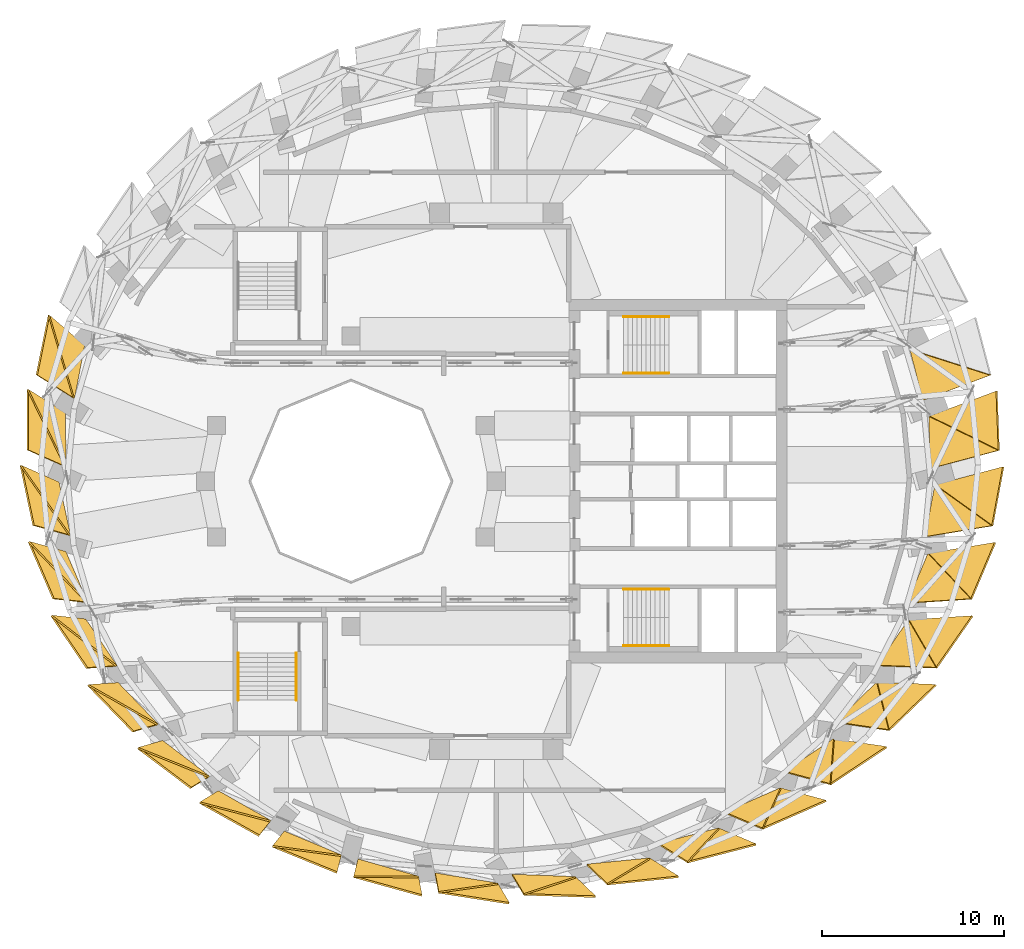
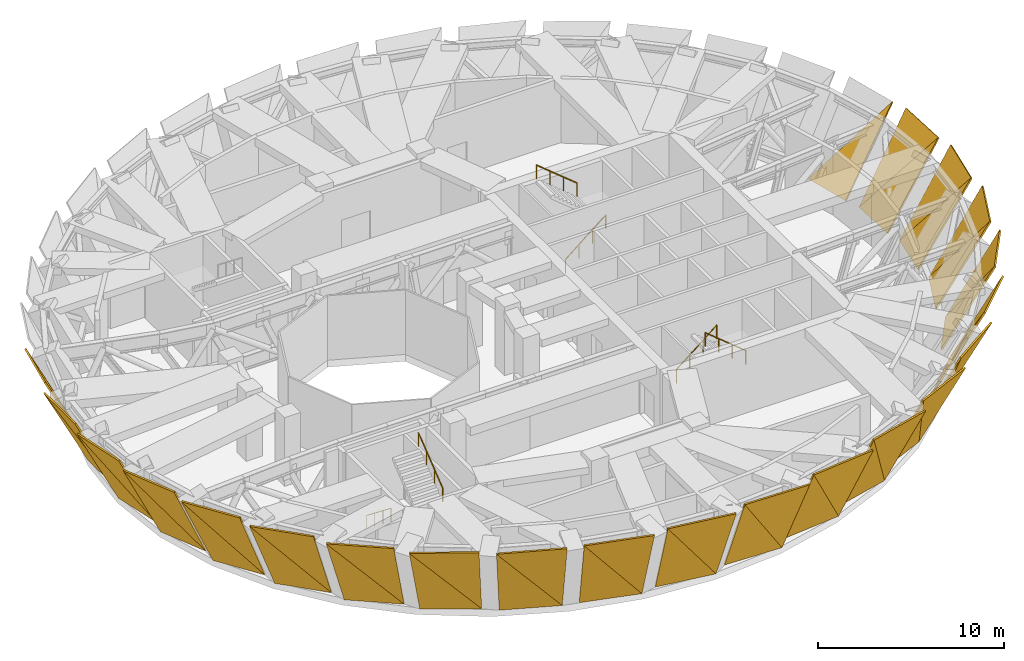
# One storey, part 15 of 16: 43 shading devices, 6 railings.
"""IFC4 building model written with IfcOpenShell, lengths in metres."""

from ifc_helpers import new_model, si_unit, direction, frame, origin, origin_2d, place, context, subcontext, project, spatial, polyline, circle, outline, extrude, material, layer, layer_set, type_object, element, save


model = new_model("IFC4")

# Units and contexts
model_context = context("Model", 3, precision=1e-05, world=origin(), true_north=direction((0.0, 1.0)))
body_context = subcontext(model_context, "Body", "Model", "MODEL_VIEW")
ifc_project = project(units=[si_unit("LENGTHUNIT", "METRE"), si_unit("AREAUNIT", "SQUARE_METRE"), si_unit("VOLUMEUNIT", "CUBIC_METRE"), si_unit("PLANEANGLEUNIT", "RADIAN"), si_unit("MASSUNIT", "GRAM", prefix="KILO")], contexts=[model_context])

# Site, building, storey
site_placement = place(None, origin())
site = spatial("IfcSite", under=ifc_project, at=site_placement, CompositionType="ELEMENT")
building_placement = place(site_placement, origin())
building = spatial("IfcBuilding", under=site, at=building_placement, Name="Taillehof Tower", CompositionType="ELEMENT")
storey_placement = place(building_placement, frame((0.0, 0.0, 184.699951171875)))
storey = spatial("IfcBuildingStorey", under=building, at=storey_placement, Name="L52", CompositionType="ELEMENT", Elevation=184.699951171875)

# Shading devices
ifc_material_1 = material(Name="Aluminium louvre blades", Category="aluminium")
ifc_layer = layer(ifc_material_1, 0.10009765625)
ifc_layer_set = layer_set([ifc_layer], Name="Louvre panel 100")
shading_device_type = type_object("IfcShadingDeviceType", Name="Louvre panel 100", PredefinedType="USERDEFINED", material=ifc_layer_set)
shading_device_1_placement = place(storey_placement, frame((23.894287109375, 0.701171875, 0.0654296875), z_axis=(-0.756872959381, -0.023485388946, 0.653139923649), x_axis=(-0.031014571992, 0.999518932449, 0.0)))
element("IfcShadingDevice", 1, at=shading_device_1_placement, inside=storey, type_object=shading_device_type, Name="Louvre panel L52 bay 1a", ObjectType="LOUVER", PredefinedType="USERDEFINED", context=body_context, shape_type="SweptSolid", body=[
    extrude(outline(polyline([(0.0, 0.0), (2.8732083791932705, 0.0), (0.8789092896323458, -5.757592259688604), (0.0, 0.0)])), origin(), (0.0, 0.0, -1.0), 0.10009765625),
])
shading_device_2_placement = place(storey_placement, frame((23.80517578125, 3.572509765625, 0.065185546875), z_axis=(-0.757776396775, -0.028099363995, 0.651909010701), x_axis=(0.628694566801, 0.236035332313, 0.740965899063)))
element("IfcShadingDevice", 2, at=shading_device_2_placement, inside=storey, type_object=shading_device_type, Name="Louvre panel L52 bay 1b", ObjectType="LOUVER", PredefinedType="USERDEFINED", context=body_context, shape_type="SweptSolid", body=[
    extrude(outline(polyline([(0.0, 0.0), (5.884356388583255, 1.1102230246251565e-16), (5.18968448919853, -3.193180434789003), (0.0, 0.0)])), origin(), (0.0, 0.0, -1.0), 0.10009765625),
])
shading_device_3_placement = place(storey_placement, frame((23.47509765625, 4.446533203125, 0.06689453125), z_axis=(-0.720490107415, -0.181760577115, 0.669221262157), x_axis=(-0.244609852702, 0.969621585961, 0.0)))
element("IfcShadingDevice", 3, at=shading_device_3_placement, inside=storey, type_object=shading_device_type, Name="Louvre panel L52 bay 2a", ObjectType="LOUVER", PredefinedType="USERDEFINED", context=body_context, shape_type="SweptSolid", body=[
    extrude(outline(polyline([(0.0, 0.0), (2.879465791526561, 0.0), (0.4417978770854179, -5.867747842542603), (0.0, 0.0)])), origin(), (0.0, 0.0, -1.0), 0.10009765625),
])
shading_device_4_placement = place(storey_placement, frame((-22.649658203125, 7.47998046875, 0.045166015625), z_axis=(0.876773802924, -0.167584022867, 0.450758575943), x_axis=(-0.187738522639, -0.982219042331, 0.0)))
element("IfcShadingDevice", 4, at=shading_device_4_placement, inside=storey, type_object=shading_device_type, Name="Louvre panel L52 bay 17a", ObjectType="LOUVER", PredefinedType="USERDEFINED", context=body_context, shape_type="SweptSolid", body=[
    extrude(outline(polyline([(0.0, 0.0), (2.972780763923262, 0.0), (-1.2567264732769006, -4.884202427721156), (0.0, 0.0)])), origin(), (0.0, 0.0, -1.0), 0.10009765625),
])
shading_device_5_placement = place(storey_placement, frame((-23.20849609375, 4.55908203125, 0.0458984375), z_axis=(0.870570399726, -0.177351604674, 0.458970137853), x_axis=(-0.408921841046, 0.25800845874, 0.875336828389)))
element("IfcShadingDevice", 5, at=shading_device_5_placement, inside=storey, type_object=shading_device_type, Name="Louvre panel L52 bay 17b", ObjectType="LOUVER", PredefinedType="USERDEFINED", context=body_context, shape_type="SweptSolid", body=[
    extrude(outline(polyline([(0.0, 0.0), (4.981062467005312, 1.1102230246251565e-16), (5.554521159664975, -3.300442440333417), (0.0, 0.0)])), origin(), (0.0, 0.0, -1.0), 0.10009765625),
])
shading_device_6_placement = place(storey_placement, frame((-23.711669921875, 3.7744140625, 0.0419921875), z_axis=(0.907189100819, 0.01111605066, 0.420576234199), x_axis=(0.012252369704, -0.999924936901, 0.0)))
element("IfcShadingDevice", 6, at=shading_device_6_placement, inside=storey, type_object=shading_device_type, Name="Louvre panel L52 bay 18a", ObjectType="LOUVER", PredefinedType="USERDEFINED", context=body_context, shape_type="SweptSolid", body=[
    extrude(outline(polyline([(0.0, 0.0), (2.9689728603034853, 0.0), (-1.3100191993788726, -4.805811858591132), (0.0, 0.0)])), origin(), (0.0, 0.0, -1.0), 0.10009765625),
])
shading_device_7_placement = place(storey_placement, frame((-23.675537109375, 0.804931640625, 0.042724609375), z_axis=(0.904537241179, 0.003902573838, 0.426376769111), x_axis=(-0.41955758634, 0.186497675028, 0.888363691825)))
element("IfcShadingDevice", 7, at=shading_device_7_placement, inside=storey, type_object=shading_device_type, Name="Louvre panel L52 bay 18b", ObjectType="LOUVER", PredefinedType="USERDEFINED", context=body_context, shape_type="SweptSolid", body=[
    extrude(outline(polyline([(0.0, 0.0), (4.9077459168676825, -1.1102230246251565e-16), (5.536434784935256, -3.2789269037386743), (0.0, 0.0)])), origin(), (0.0, 0.0, -1.0), 0.10009765625),
])
shading_device_8_placement = place(storey_placement, frame((-24.0615234375, -0.0439453125, 0.03857421875), z_axis=(0.902065406347, 0.194849744472, 0.38511242482), x_axis=(0.211134628941, -0.977456990595, 0.0)))
element("IfcShadingDevice", 8, at=shading_device_8_placement, inside=storey, type_object=shading_device_type, Name="Louvre panel L52 bay 19a", ObjectType="LOUVER", PredefinedType="USERDEFINED", context=body_context, shape_type="SweptSolid", body=[
    extrude(outline(polyline([(0.0, 0.0), (2.990261045370631, 5.551115123125783e-17), (-1.3291548489340037, -4.724510494766859), (0.0, 0.0)])), origin(), (0.0, 0.0, -1.0), 0.10009765625),
])
shading_device_9_placement = place(storey_placement, frame((-23.43017578125, -2.96728515625, 0.038818359375), z_axis=(0.901586627191, 0.191245648192, 0.388029194414), x_axis=(-0.4130775746, 0.114184456322, 0.903509173886)))
element("IfcShadingDevice", 9, at=shading_device_9_placement, inside=storey, type_object=shading_device_type, Name="Louvre panel L52 bay 19b", ObjectType="LOUVER", PredefinedType="USERDEFINED", context=body_context, shape_type="SweptSolid", body=[
    extrude(outline(polyline([(0.0, 0.0), (4.825747815177347, 0.0), (5.489109405260957, -3.2941188193235034), (0.0, 0.0)])), origin(), (0.0, 0.0, -1.0), 0.10009765625),
])
shading_device_10_placement = place(storey_placement, frame((-23.687255859375, -3.86474609375, 0.03466796875), z_axis=(0.860995285971, 0.372210125817, 0.346621897425), x_axis=(0.396810412691, -0.917900591774, 0.0)))
element("IfcShadingDevice", 10, at=shading_device_10_placement, inside=storey, type_object=shading_device_type, Name="Louvre panel L52 bay 20a", ObjectType="LOUVER", PredefinedType="USERDEFINED", context=body_context, shape_type="SweptSolid", body=[
    extrude(outline(polyline([(0.0, 0.0), (3.035065776011634, 0.0), (-1.2965675670578247, -4.6482776943703366), (0.0, 0.0)])), origin(), (0.0, 0.0, -1.0), 0.10009765625),
])
shading_device_11_placement = place(storey_placement, frame((-22.48291015625, -6.650634765625, 0.03466796875), z_axis=(0.861012000593, 0.372035592335, 0.346767721783), x_axis=(-0.38928583856, 0.043328399977, 0.920097378353)))
element("IfcShadingDevice", 11, at=shading_device_11_placement, inside=storey, type_object=shading_device_type, Name="Louvre panel L52 bay 20b", ObjectType="LOUVER", PredefinedType="USERDEFINED", context=body_context, shape_type="SweptSolid", body=[
    extrude(outline(polyline([(0.0, 0.0), (4.738745620250565, 1.1102230246251565e-16), (5.401136288074438, -3.3462306765101233), (0.0, 0.0)])), origin(), (0.0, 0.0, -1.0), 0.10009765625),
])
shading_device_12_placement = place(storey_placement, frame((-22.595458984375, -7.578857421875, 0.031005859375), z_axis=(0.788388681912, 0.532267358783, 0.30843920796), x_axis=(0.559548682755, -0.828797485292, 0.0)))
element("IfcShadingDevice", 12, at=shading_device_12_placement, inside=storey, type_object=shading_device_type, Name="Louvre panel L52 bay 21a", ObjectType="LOUVER", PredefinedType="USERDEFINED", context=body_context, shape_type="SweptSolid", body=[
    extrude(outline(polyline([(0.0, 0.0), (3.096542032936236, 0.0), (-1.2024506300855433, -4.583327750159627), (0.0, 0.0)])), origin(), (0.0, 0.0, -1.0), 0.10009765625),
])
shading_device_13_placement = place(storey_placement, frame((-20.86279296875, -10.14501953125, 0.03076171875), z_axis=(0.787616813582, 0.534642540915, 0.306295785813), x_axis=(-0.348413953108, -0.02355991942, 0.93704463473)))
element("IfcShadingDevice", 13, at=shading_device_13_placement, inside=storey, type_object=shading_device_type, Name="Louvre panel L52 bay 21b", ObjectType="LOUVER", PredefinedType="USERDEFINED", context=body_context, shape_type="SweptSolid", body=[
    extrude(outline(polyline([(0.0, 0.0), (4.652780795768531, -1.1102230246251565e-16), (5.26640747140206, -3.4282916339277447), (0.0, 0.0)])), origin(), (0.0, 0.0, -1.0), 0.10009765625),
])
shading_device_14_placement = place(storey_placement, frame((-20.80810546875, -11.07958984375, 0.027587890625), z_axis=(0.693082597738, 0.666548155433, 0.274499670676), x_axis=(0.693174950649, -0.720769372125, 0.0)))
element("IfcShadingDevice", 14, at=shading_device_14_placement, inside=storey, type_object=shading_device_type, Name="Louvre panel L52 bay 22a", ObjectType="LOUVER", PredefinedType="USERDEFINED", context=body_context, shape_type="SweptSolid", body=[
    extrude(outline(polyline([(0.0, 0.0), (3.16739177976629, 0.0), (-1.044515491907254, -4.534028022102845), (0.0, 0.0)])), origin(), (0.0, 0.0, -1.0), 0.10009765625),
])
shading_device_15_placement = place(storey_placement, frame((-18.61279296875, -13.3623046875, 0.027099609375), z_axis=(0.690971461543, 0.670264738989, 0.270746410875), x_axis=(-0.291773333429, -0.084080229198, 0.952784779978)))
element("IfcShadingDevice", 15, at=shading_device_15_placement, inside=storey, type_object=shading_device_type, Name="Louvre panel L52 bay 22b", ObjectType="LOUVER", PredefinedType="USERDEFINED", context=body_context, shape_type="SweptSolid", body=[
    extrude(outline(polyline([(0.0, 0.0), (4.576172409025023, 0.0), (5.085105885448863, -3.5273872972431057), (0.0, 0.0)])), origin(), (0.0, 0.0, -1.0), 0.10009765625),
])
shading_device_16_placement = place(storey_placement, frame((-18.360107421875, -14.26513671875, 0.02490234375), z_axis=(0.586813791894, 0.770890777714, 0.247743783937), x_axis=(0.795696137948, -0.605696009608, 0.0)))
element("IfcShadingDevice", 16, at=shading_device_16_placement, inside=storey, type_object=shading_device_type, Name="Louvre panel L52 bay 23a", ObjectType="LOUVER", PredefinedType="USERDEFINED", context=body_context, shape_type="SweptSolid", body=[
    extrude(outline(polyline([(0.0, 0.0), (3.241928320027574, 0.0), (-0.8293665203358176, -4.5001529077321925), (0.0, 0.0)])), origin(), (0.0, 0.0, -1.0), 0.10009765625),
])
shading_device_17_placement = place(storey_placement, frame((-15.78076171875, -16.228271484375, 0.0244140625), z_axis=(0.58317870519, 0.775169289831, 0.242930380803), x_axis=(-0.221482879721, -0.135993516235, 0.965635074722)))
element("IfcShadingDevice", 17, at=shading_device_17_placement, inside=storey, type_object=shading_device_type, Name="Louvre panel L52 bay 23b", ObjectType="LOUVER", PredefinedType="USERDEFINED", context=body_context, shape_type="SweptSolid", body=[
    extrude(outline(polyline([(0.0, 0.0), (4.515021663341322, 0.0), (4.862382585745484, -3.6309851913742555), (0.0, 0.0)])), origin(), (0.0, 0.0, -1.0), 0.10009765625),
])
shading_device_18_placement = place(storey_placement, frame((-15.2939453125, -17.03076171875, 0.02294921875), z_axis=(0.480032628804, 0.846742094567, 0.229339269579), x_axis=(0.869928698757, -0.493177512746, 0.0)))
element("IfcShadingDevice", 18, at=shading_device_18_placement, inside=storey, type_object=shading_device_type, Name="Louvre panel L52 bay 24a", ObjectType="LOUVER", PredefinedType="USERDEFINED", context=body_context, shape_type="SweptSolid", body=[
    extrude(outline(polyline([(0.0, 0.0), (3.323671728505866, 0.0), (-0.567110963269552, -4.479501610098869), (0.0, 0.0)])), origin(), (0.0, 0.0, -1.0), 0.10009765625),
])
shading_device_19_placement = place(storey_placement, frame((-12.403076171875, -18.66943359375, 0.0224609375), z_axis=(0.47493731567, 0.851091236328, 0.223781709773), x_axis=(-0.14049918581, -0.17769656342, 0.974004060636)))
element("IfcShadingDevice", 19, at=shading_device_19_placement, inside=storey, type_object=shading_device_type, Name="Louvre panel L52 bay 24b", ObjectType="LOUVER", PredefinedType="USERDEFINED", context=body_context, shape_type="SweptSolid", body=[
    extrude(outline(polyline([(0.0, 0.0), (4.4762270071061785, 8.326672684688674e-17), (4.6110920819498205, -3.7336075774215707), (0.0, 0.0)])), origin(), (0.0, 0.0, -1.0), 0.10009765625),
])
shading_device_20_placement = place(storey_placement, frame((-11.66796875, -19.253662109375, 0.02197265625), z_axis=(0.374761308891, 0.901020383524, 0.218440449167), x_axis=(0.92331826042, -0.384035662373, 0.0)))
element("IfcShadingDevice", 20, at=shading_device_20_placement, inside=storey, type_object=shading_device_type, Name="Louvre panel L52 bay 25a", ObjectType="LOUVER", PredefinedType="USERDEFINED", context=body_context, shape_type="SweptSolid", body=[
    extrude(outline(polyline([(0.0, 0.0), (3.4093869402262893, 0.0), (-0.27521475850403354, -4.467758392734359), (0.0, 0.0)])), origin(), (0.0, 0.0, -1.0), 0.10009765625),
])
shading_device_21_placement = place(storey_placement, frame((-8.520751953125, -20.562744140625, 0.021240234375), z_axis=(0.368590889484, 0.904966644652, 0.212546767221), x_axis=(-0.051626252965, -0.208364431988, 0.976687766631)))
element("IfcShadingDevice", 21, at=shading_device_21_placement, inside=storey, type_object=shading_device_type, Name="Louvre panel L52 bay 25b", ObjectType="LOUVER", PredefinedType="USERDEFINED", context=body_context, shape_type="SweptSolid", body=[
    extrude(outline(polyline([(0.0, 0.0), (4.464177366440548, -5.551115123125783e-17), (4.346303183012027, -3.827184234084647), (0.0, 0.0)])), origin(), (0.0, 0.0, -1.0), 0.10009765625),
])
shading_device_22_placement = place(storey_placement, frame((-7.608642578125, -20.78759765625, 0.021484375), z_axis=(0.267184194835, 0.939447442083, 0.214595222672), x_axis=(0.961855725896, -0.27355723818, 0.0)))
element("IfcShadingDevice", 22, at=shading_device_22_placement, inside=storey, type_object=shading_device_type, Name="Louvre panel L52 bay 26a", ObjectType="LOUVER", PredefinedType="USERDEFINED", context=body_context, shape_type="SweptSolid", body=[
    extrude(outline(polyline([(0.0, 0.0), (3.4636618351944093, 2.7755575615628914e-17), (0.03284541734806079, -4.464107411857059), (0.0, 0.0)])), origin(), (0.0, 0.0, -1.0), 0.10009765625),
])
shading_device_23_placement = place(storey_placement, frame((-4.277587890625, -21.73486328125, 0.02099609375), z_axis=(0.260640052267, 0.942483744138, 0.209263363229), x_axis=(0.042923401418, -0.227853538239, 0.972748861075)))
element("IfcShadingDevice", 23, at=shading_device_23_placement, inside=storey, type_object=shading_device_type, Name="Louvre panel L52 bay 26b", ObjectType="LOUVER", PredefinedType="USERDEFINED", context=body_context, shape_type="SweptSolid", body=[
    extrude(outline(polyline([(0.0, 0.0), (4.48200296675981, -5.551115123125783e-17), (4.084253921705439, -3.8752079434059623), (0.0, 0.0)])), origin(), (0.0, 0.0, -1.0), 0.10009765625),
])
shading_device_24_placement = place(storey_placement, frame((-3.3544921875, -21.556884765625, 0.02197265625), z_axis=(0.1569438556, 0.963095693285, 0.218667125479), x_axis=(0.986981117668, -0.160836169335, 0.0)))
element("IfcShadingDevice", 24, at=shading_device_24_placement, inside=storey, type_object=shading_device_type, Name="Louvre panel L52 bay 27a", ObjectType="LOUVER", PredefinedType="USERDEFINED", context=body_context, shape_type="SweptSolid", body=[
    extrude(outline(polyline([(0.0, 0.0), (3.4791323047166944, 0.0), (0.35413057056898106, -4.467990838512566), (0.0, 0.0)])), origin(), (0.0, 0.0, -1.0), 0.10009765625),
])
shading_device_25_placement = place(storey_placement, frame((0.078857421875, -22.1162109375, 0.021484375), z_axis=(0.150372347815, 0.965187710097, 0.214011311126), x_axis=(0.141139103277, -0.235213889018, 0.961641398828)))
element("IfcShadingDevice", 25, at=shading_device_25_placement, inside=storey, type_object=shading_device_type, Name="Louvre panel L52 bay 27b", ObjectType="LOUVER", PredefinedType="USERDEFINED", context=body_context, shape_type="SweptSolid", body=[
    extrude(outline(polyline([(0.0, 0.0), (4.533772450484314, 0.0), (3.8436856814159794, -3.8673299775527594), (0.0, 0.0)])), origin(), (0.0, 0.0, -1.0), 0.10009765625),
])
shading_device_26_placement = place(storey_placement, frame((0.882080078125, -21.626953125, 0.023193359375), z_axis=(0.036993881622, 0.971942572496, 0.232290956545), x_axis=(0.999276435852, -0.038034257601, 0.0)))
element("IfcShadingDevice", 26, at=shading_device_26_placement, inside=storey, type_object=shading_device_type, Name="Louvre panel L52 bay 28a", ObjectType="LOUVER", PredefinedType="USERDEFINED", context=body_context, shape_type="SweptSolid", body=[
    extrude(outline(polyline([(0.0, 0.0), (3.479079837438924, -3.469446951953614e-18), (0.6799895448161282, -4.482726374742132), (0.0, 0.0)])), origin(), (0.0, 0.0, -1.0), 0.10009765625),
])
shading_device_27_placement = place(storey_placement, frame((4.358154296875, -21.75927734375, 0.02294921875), z_axis=(0.030957013318, 0.973037951691, 0.22855810617), x_axis=(0.23963119334, -0.229223930313, 0.943415751909)))
element("IfcShadingDevice", 27, at=shading_device_27_placement, inside=storey, type_object=shading_device_type, Name="Louvre panel L52 bay 28b", ObjectType="LOUVER", PredefinedType="USERDEFINED", context=body_context, shape_type="SweptSolid", body=[
    extrude(outline(polyline([(0.0, 0.0), (4.621359429739249, 0.0), (3.6474085850671587, -3.824258496590889), (0.0, 0.0)])), origin(), (0.0, 0.0, -1.0), 0.10009765625),
])
shading_device_28_placement = place(storey_placement, frame((5.001953125, -21.073974609375, 0.02587890625), z_axis=(-0.096396799469, 0.961307361158, 0.258061648519), x_axis=(0.995009886388, 0.099776379921, 0.0)))
element("IfcShadingDevice", 28, at=shading_device_28_placement, inside=storey, type_object=shading_device_type, Name="Louvre panel L52 bay 29a", ObjectType="LOUVER", PredefinedType="USERDEFINED", context=body_context, shape_type="SweptSolid", body=[
    extrude(outline(polyline([(0.0, 0.0), (3.457438558086347, 0.0), (0.9964429057776677, -4.512715956860933), (0.0, 0.0)])), origin(), (0.0, 0.0, -1.0), 0.10009765625),
])
shading_device_29_placement = place(storey_placement, frame((8.441650390625, -20.72900390625, 0.025634765625), z_axis=(-0.100604802801, 0.961467936719, 0.255847767851), x_axis=(0.334054198793, -0.209581446655, 0.918957784388)))
element("IfcShadingDevice", 29, at=shading_device_29_placement, inside=storey, type_object=shading_device_type, Name="Louvre panel L52 bay 29b", ObjectType="LOUVER", PredefinedType="USERDEFINED", context=body_context, shape_type="SweptSolid", body=[
    extrude(outline(polyline([(0.0, 0.0), (4.744622109904794, 0.0), (3.521881283513324, -3.7442737656220446), (0.0, 0.0)])), origin(), (0.0, 0.0, -1.0), 0.10009765625),
])
shading_device_30_placement = place(storey_placement, frame((8.932861328125, -19.927734375, 0.02978515625), z_axis=(-0.237412268779, 0.924805992508, 0.297269727442), x_axis=(0.96859263408, 0.248652989538, 0.0)))
element("IfcShadingDevice", 30, at=shading_device_30_placement, inside=storey, type_object=shading_device_type, Name="Louvre panel L52 bay 30a", ObjectType="LOUVER", PredefinedType="USERDEFINED", context=body_context, shape_type="SweptSolid", body=[
    extrude(outline(polyline([(0.0, 0.0), (3.4060472375558706, 5.551115123125783e-17), (1.2878640383472557, -4.56654473136641), (0.0, 0.0)])), origin(), (0.0, 0.0, -1.0), 0.10009765625),
])
shading_device_31_placement = place(storey_placement, frame((12.231689453125, -19.080810546875, 0.02978515625), z_axis=(-0.239011409266, 0.924612523371, 0.296589325274), x_axis=(0.419858458201, -0.177005506954, 0.89016174125)))
element("IfcShadingDevice", 31, at=shading_device_31_placement, inside=storey, type_object=shading_device_type, Name="Louvre panel L52 bay 30b", ObjectType="LOUVER", PredefinedType="USERDEFINED", context=body_context, shape_type="SweptSolid", body=[
    extrude(outline(polyline([(0.0, 0.0), (4.897832696255181, 0.0), (3.487366830475077, -3.6297847912469177), (0.0, 0.0)])), origin(), (0.0, 0.0, -1.0), 0.10009765625),
])
shading_device_32_placement = place(storey_placement, frame((12.5869140625, -18.212158203125, 0.034912109375), z_axis=(-0.37722003148, 0.858043231802, 0.348520960932), x_axis=(0.915440444337, 0.402453466716, 0.0)))
element("IfcShadingDevice", 32, at=shading_device_32_placement, inside=storey, type_object=shading_device_type, Name="Louvre panel L52 bay 31a", ObjectType="LOUVER", PredefinedType="USERDEFINED", context=body_context, shape_type="SweptSolid", body=[
    extrude(outline(polyline([(0.0, 0.0), (3.3285826068464774, 0.0), (1.5336041509633065, -4.651768731112053), (0.0, 0.0)])), origin(), (0.0, 0.0, -1.0), 0.10009765625),
])
shading_device_33_placement = place(storey_placement, frame((15.63427734375, -16.87255859375, 0.034912109375), z_axis=(-0.37604661664, 0.85840379561, 0.348900939805), x_axis=(0.493303264053, -0.133277074657, 0.859586593105)))
element("IfcShadingDevice", 33, at=shading_device_33_placement, inside=storey, type_object=shading_device_type, Name="Louvre panel L52 bay 31b", ObjectType="LOUVER", PredefinedType="USERDEFINED", context=body_context, shape_type="SweptSolid", body=[
    extrude(outline(polyline([(0.0, 0.0), (5.072330649234173, 0.0), (3.553091782505031, -3.497977305083486), (0.0, 0.0)])), origin(), (0.0, 0.0, -1.0), 0.10009765625),
])
shading_device_34_placement = place(storey_placement, frame((15.868896484375, -15.96533203125, 0.040771484375), z_axis=(-0.506224857064, 0.759612932129, 0.408319222463), x_axis=(0.832143195325, 0.554560819455, 0.0)))
element("IfcShadingDevice", 34, at=shading_device_34_placement, inside=storey, type_object=shading_device_type, Name="Louvre panel L52 bay 32a", ObjectType="LOUVER", PredefinedType="USERDEFINED", context=body_context, shape_type="SweptSolid", body=[
    extrude(outline(polyline([(0.0, 0.0), (3.2340132377397226, -1.1102230246251565e-16), (1.7074923933120831, -4.776424371593776), (0.0, 0.0)])), origin(), (0.0, 0.0, -1.0), 0.10009765625),
])
shading_device_35_placement = place(storey_placement, frame((18.560302734375, -14.171875, 0.041015625), z_axis=(-0.503243027823, 0.761085209761, 0.409262456659), x_axis=(0.55238946495, -0.080883940999, 0.829652738862)))
element("IfcShadingDevice", 35, at=shading_device_35_placement, inside=storey, type_object=shading_device_type, Name="Louvre panel L52 bay 32b", ObjectType="LOUVER", PredefinedType="USERDEFINED", context=body_context, shape_type="SweptSolid", body=[
    extrude(outline(polyline([(0.0, 0.0), (5.255045969269294, -2.220446049250313e-16), (3.712646907581724, -3.3700762549524503), (0.0, 0.0)])), origin(), (0.0, 0.0, -1.0), 0.10009765625),
])
shading_device_36_placement = place(storey_placement, frame((18.686767578125, -13.244873046875, 0.047119140625), z_axis=(-0.615479594278, 0.631701750214, 0.471314934842), x_axis=(0.716243572025, 0.697850374746, 0.0)))
element("IfcShadingDevice", 36, at=shading_device_36_placement, inside=storey, type_object=shading_device_type, Name="Louvre panel L52 bay 33a", ObjectType="LOUVER", PredefinedType="USERDEFINED", context=body_context, shape_type="SweptSolid", body=[
    extrude(outline(polyline([(0.0, 0.0), (3.132527022066343, 1.1102230246251565e-16), (1.7826846726858256, -4.943628719092229), (0.0, 0.0)])), origin(), (0.0, 0.0, -1.0), 0.10009765625),
])
shading_device_37_placement = place(storey_placement, frame((20.930908203125, -11.05859375, 0.04736328125), z_axis=(-0.612025318187, 0.634290604816, 0.47233509137), x_axis=(0.596235422662, -0.022289174679, 0.802500164147)))
element("IfcShadingDevice", 37, at=shading_device_37_placement, inside=storey, type_object=shading_device_type, Name="Louvre panel L52 bay 33b", ObjectType="LOUVER", PredefinedType="USERDEFINED", context=body_context, shape_type="SweptSolid", body=[
    extrude(outline(polyline([(0.0, 0.0), (5.432850329552929, 2.220446049250313e-16), (3.949865178493845, -3.264606200992975), (0.0, 0.0)])), origin(), (0.0, 0.0, -1.0), 0.10009765625),
])
shading_device_38_placement = place(storey_placement, frame((20.957763671875, -10.124755859375, 0.05322265625), z_axis=(-0.697548144237, 0.48047110726, 0.531576994951), x_axis=(0.567255547408, 0.823541828892, 0.0)))
element("IfcShadingDevice", 38, at=shading_device_38_placement, inside=storey, type_object=shading_device_type, Name="Louvre panel L52 bay 34a", ObjectType="LOUVER", PredefinedType="USERDEFINED", context=body_context, shape_type="SweptSolid", body=[
    extrude(outline(polyline([(0.0, 0.0), (3.0359649660887307, 0.0), (1.7379622552995624, -5.1473576555621685), (0.0, 0.0)])), origin(), (0.0, 0.0, -1.0), 0.10009765625),
])
shading_device_39_placement = place(storey_placement, frame((22.68017578125, -7.624267578125, 0.05322265625), z_axis=(-0.695006148517, 0.483285579089, 0.532354677417), x_axis=(0.625112537374, 0.040329841121, 0.7794920266)))
element("IfcShadingDevice", 39, at=shading_device_39_placement, inside=storey, type_object=shading_device_type, Name="Louvre panel L52 bay 34b", ObjectType="LOUVER", PredefinedType="USERDEFINED", context=body_context, shape_type="SweptSolid", body=[
    extrude(outline(polyline([(0.0, 0.0), (5.593524081180628, 0.0), (4.241312557621281, -3.192725882244191), (0.0, 0.0)])), origin(), (0.0, 0.0, -1.0), 0.10009765625),
])
shading_device_40_placement = place(storey_placement, frame((22.61376953125, -6.693115234375, 0.058349609375), z_axis=(-0.748358606206, 0.314784165898, 0.583841010394), x_axis=(0.387728251256, 0.92177372667, 0.0)))
element("IfcShadingDevice", 40, at=shading_device_40_placement, inside=storey, type_object=shading_device_type, Name="Louvre panel L52 bay 35a", ObjectType="LOUVER", PredefinedType="USERDEFINED", context=body_context, shape_type="SweptSolid", body=[
    extrude(outline(polyline([(0.0, 0.0), (2.955038611229181, 0.0), (1.563887869056057, -5.370463349540251), (0.0, 0.0)])), origin(), (0.0, 0.0, -1.0), 0.10009765625),
])
shading_device_41_placement = place(storey_placement, frame((23.759521484375, -3.96923828125, 0.058349609375), z_axis=(-0.747443343063, 0.316280356348, 0.584204745871), x_axis=(0.639657435285, 0.105223925234, 0.761423857679)))
element("IfcShadingDevice", 41, at=shading_device_41_placement, inside=storey, type_object=shading_device_type, Name="Louvre panel L52 bay 35b", ObjectType="LOUVER", PredefinedType="USERDEFINED", context=body_context, shape_type="SweptSolid", body=[
    extrude(outline(polyline([(0.0, 0.0), (5.726255327966291, 0.0), (4.5607614540178645, -3.1585806837484425), (0.0, 0.0)])), origin(), (0.0, 0.0, -1.0), 0.10009765625),
])
shading_device_42_placement = place(storey_placement, frame((23.603515625, -3.049072265625, 0.0625), z_axis=(-0.767404778123, 0.144011693581, 0.624780392319), x_axis=(0.18444108167, 0.982843572189, 0.0)))
element("IfcShadingDevice", 42, at=shading_device_42_placement, inside=storey, type_object=shading_device_type, Name="Louvre panel L52 bay 36a", ObjectType="LOUVER", PredefinedType="USERDEFINED", context=body_context, shape_type="SweptSolid", body=[
    extrude(outline(polyline([(0.0, 0.0), (2.898855091869624, 0.0), (1.2677801475735664, -5.584150210952484), (0.0, 0.0)])), origin(), (0.0, 0.0, -1.0), 0.10009765625),
])
shading_device_43_placement = place(storey_placement, frame((24.13818359375, -0.199951171875, 0.0625), z_axis=(-0.767850192313, 0.142905613106, 0.624487043827), x_axis=(0.640629367741, 0.170814936435, 0.748609558234)))
element("IfcShadingDevice", 43, at=shading_device_43_placement, inside=storey, type_object=shading_device_type, Name="Louvre panel L52 bay 36b", ObjectType="LOUVER", PredefinedType="USERDEFINED", context=body_context, shape_type="SweptSolid", body=[
    extrude(outline(polyline([(0.0, 0.0), (5.824274314855815, -1.1102230246251565e-16), (4.884111942116168, -3.1602313554939174), (0.0, 0.0)])), origin(), (0.0, 0.0, -1.0), 0.10009765625),
])

# Railings
ifc_material_2 = material(Name="Stainless steel", Category="steel")
railing_type = type_object("IfcRailingType", Name="Stair handrail 900", PredefinedType="HANDRAIL", material=ifc_material_2)
railing_1_placement = place(storey_placement, frame((7.0, 5.949951171875, 0.20458984375)))
element("IfcRailing", 44, at=railing_1_placement, inside=storey, type_object=railing_type, Name="Stair S1 handrail", PredefinedType="HANDRAIL", context=body_context, shape_type="SweptSolid", body=[
    extrude(circle(Radius=0.02392578125, at=origin_2d()), frame((0.0, 0.0, 0.8759765625), z_axis=(0.773964034227, 0.0, 0.633229558472), x_axis=(0.0, 1.0, 0.0)), (0.0, 0.0, 1.0), 3.230224609375),
    extrude(circle(Radius=0.02099609375, at=origin_2d()), origin(), (0.0, 0.0, 1.0), 0.851806640625),
    extrude(circle(Radius=0.02099609375, at=origin_2d()), frame((0.833251953125, 0.0, 0.681884765625)), (0.0, 0.0, 1.0), 0.851806640625),
    extrude(circle(Radius=0.02099609375, at=origin_2d()), frame((1.666748046875, 0.0, 1.363525390625)), (0.0, 0.0, 1.0), 0.851806640625),
    extrude(circle(Radius=0.02099609375, at=origin_2d()), frame((2.5, 0.0, 2.04541015625)), (0.0, 0.0, 1.0), 0.851806640625),
])
railing_2_placement = place(storey_placement, frame((9.5, 9.050048828125, 2.45458984375)))
element("IfcRailing", 45, at=railing_2_placement, inside=storey, type_object=railing_type, Name="Stair S1 handrail", PredefinedType="HANDRAIL", context=body_context, shape_type="SweptSolid", body=[
    extrude(circle(Radius=0.02392578125, at=origin_2d()), frame((0.0, 0.0, 0.8759765625), z_axis=(-0.773964034227, 0.0, 0.633229558472), x_axis=(0.0, -1.0, 0.0)), (0.0, 0.0, 1.0), 3.230224609375),
    extrude(circle(Radius=0.02099609375, at=origin_2d()), origin(), (0.0, 0.0, 1.0), 0.851806640625),
    extrude(circle(Radius=0.02099609375, at=origin_2d()), frame((-0.833251953125, 0.0, 0.681884765625)), (0.0, 0.0, 1.0), 0.851806640625),
    extrude(circle(Radius=0.02099609375, at=origin_2d()), frame((-1.666748046875, 0.0, 1.363525390625)), (0.0, 0.0, 1.0), 0.851806640625),
    extrude(circle(Radius=0.02099609375, at=origin_2d()), frame((-2.5, 0.0, 2.04541015625)), (0.0, 0.0, 1.0), 0.851806640625),
])
railing_3_placement = place(storey_placement, frame((7.0, -5.949951171875, 0.20458984375)))
element("IfcRailing", 46, at=railing_3_placement, inside=storey, type_object=railing_type, Name="Stair S2 handrail", PredefinedType="HANDRAIL", context=body_context, shape_type="SweptSolid", body=[
    extrude(circle(Radius=0.02392578125, at=origin_2d()), frame((0.0, 0.0, 0.8759765625), z_axis=(0.773964034227, 0.0, 0.633229558472), x_axis=(0.0, 1.0, 0.0)), (0.0, 0.0, 1.0), 3.230224609375),
    extrude(circle(Radius=0.02099609375, at=origin_2d()), origin(), (0.0, 0.0, 1.0), 0.851806640625),
    extrude(circle(Radius=0.02099609375, at=origin_2d()), frame((0.833251953125, 0.0, 0.681884765625)), (0.0, 0.0, 1.0), 0.851806640625),
    extrude(circle(Radius=0.02099609375, at=origin_2d()), frame((1.666748046875, 0.0, 1.363525390625)), (0.0, 0.0, 1.0), 0.851806640625),
    extrude(circle(Radius=0.02099609375, at=origin_2d()), frame((2.5, 0.0, 2.04541015625)), (0.0, 0.0, 1.0), 0.851806640625),
])
railing_4_placement = place(storey_placement, frame((9.5, -9.050048828125, 2.45458984375)))
element("IfcRailing", 47, at=railing_4_placement, inside=storey, type_object=railing_type, Name="Stair S2 handrail", PredefinedType="HANDRAIL", context=body_context, shape_type="SweptSolid", body=[
    extrude(circle(Radius=0.02392578125, at=origin_2d()), frame((0.0, 0.0, 0.8759765625), z_axis=(-0.773964034227, 0.0, 0.633229558472), x_axis=(0.0, -1.0, 0.0)), (0.0, 0.0, 1.0), 3.230224609375),
    extrude(circle(Radius=0.02099609375, at=origin_2d()), origin(), (0.0, 0.0, 1.0), 0.851806640625),
    extrude(circle(Radius=0.02099609375, at=origin_2d()), frame((-0.833251953125, 0.0, 0.681884765625)), (0.0, 0.0, 1.0), 0.851806640625),
    extrude(circle(Radius=0.02099609375, at=origin_2d()), frame((-1.666748046875, 0.0, 1.363525390625)), (0.0, 0.0, 1.0), 0.851806640625),
    extrude(circle(Radius=0.02099609375, at=origin_2d()), frame((-2.5, 0.0, 2.04541015625)), (0.0, 0.0, 1.0), 0.851806640625),
])
railing_5_placement = place(storey_placement, frame((-14.199951171875, -9.449951171875, 0.20458984375)))
element("IfcRailing", 48, at=railing_5_placement, inside=storey, type_object=railing_type, Name="Stair S4 handrail", PredefinedType="HANDRAIL", context=body_context, shape_type="SweptSolid", body=[
    extrude(circle(Radius=0.02392578125, at=origin_2d()), frame((0.0, 0.0, 0.8759765625), z_axis=(0.0, -0.785954564337, 0.618284257278), x_axis=(1.0, 0.0, 0.0)), (0.0, 0.0, 1.0), 3.30810546875),
    extrude(circle(Radius=0.02099609375, at=origin_2d()), origin(), (0.0, 0.0, 1.0), 0.851806640625),
    extrude(circle(Radius=0.02099609375, at=origin_2d()), frame((0.0, -0.86669921875, 0.681884765625)), (0.0, 0.0, 1.0), 0.851806640625),
    extrude(circle(Radius=0.02099609375, at=origin_2d()), frame((0.0, -1.7333984375, 1.363525390625)), (0.0, 0.0, 1.0), 0.851806640625),
    extrude(circle(Radius=0.02099609375, at=origin_2d()), frame((0.0, -2.60009765625, 2.04541015625)), (0.0, 0.0, 1.0), 0.851806640625),
])
railing_6_placement = place(storey_placement, frame((-11.0, -12.050048828125, 2.45458984375)))
element("IfcRailing", 49, at=railing_6_placement, inside=storey, type_object=railing_type, Name="Stair S4 handrail", PredefinedType="HANDRAIL", context=body_context, shape_type="SweptSolid", body=[
    extrude(circle(Radius=0.02392578125, at=origin_2d()), frame((0.0, 0.0, 0.8759765625), z_axis=(0.0, 0.785954564337, 0.618284257278), x_axis=(-1.0, 0.0, 0.0)), (0.0, 0.0, 1.0), 3.30810546875),
    extrude(circle(Radius=0.02099609375, at=origin_2d()), origin(), (0.0, 0.0, 1.0), 0.851806640625),
    extrude(circle(Radius=0.02099609375, at=origin_2d()), frame((0.0, 0.86669921875, 0.681884765625)), (0.0, 0.0, 1.0), 0.851806640625),
    extrude(circle(Radius=0.02099609375, at=origin_2d()), frame((0.0, 1.7333984375, 1.363525390625)), (0.0, 0.0, 1.0), 0.851806640625),
    extrude(circle(Radius=0.02099609375, at=origin_2d()), frame((0.0, 2.60009765625, 2.04541015625)), (0.0, 0.0, 1.0), 0.851806640625),
])

save(model, "model.ifc")
